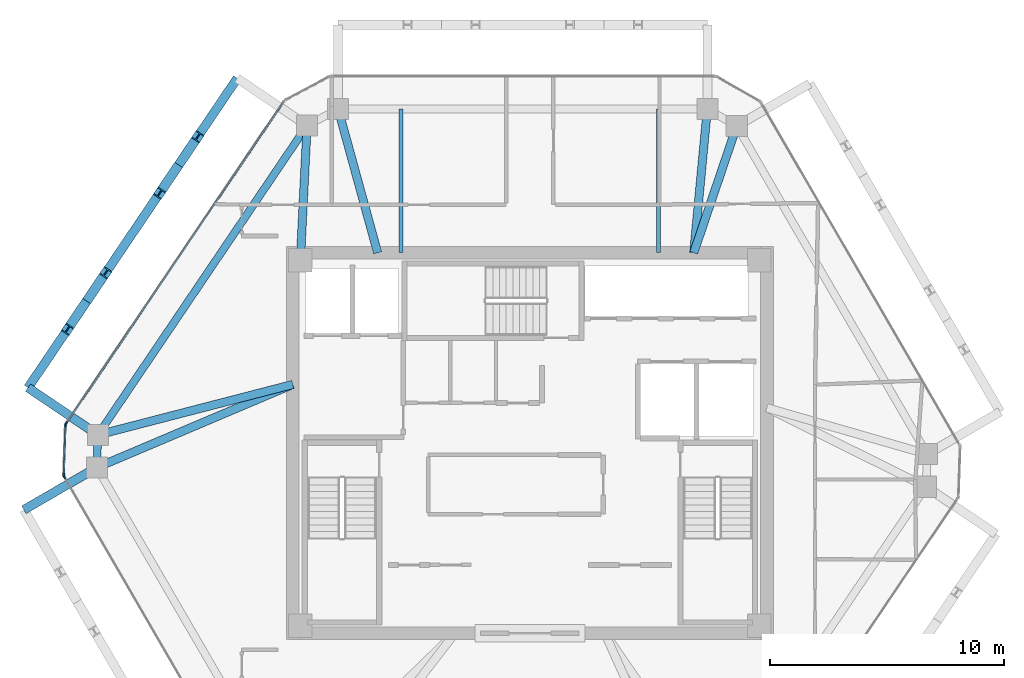
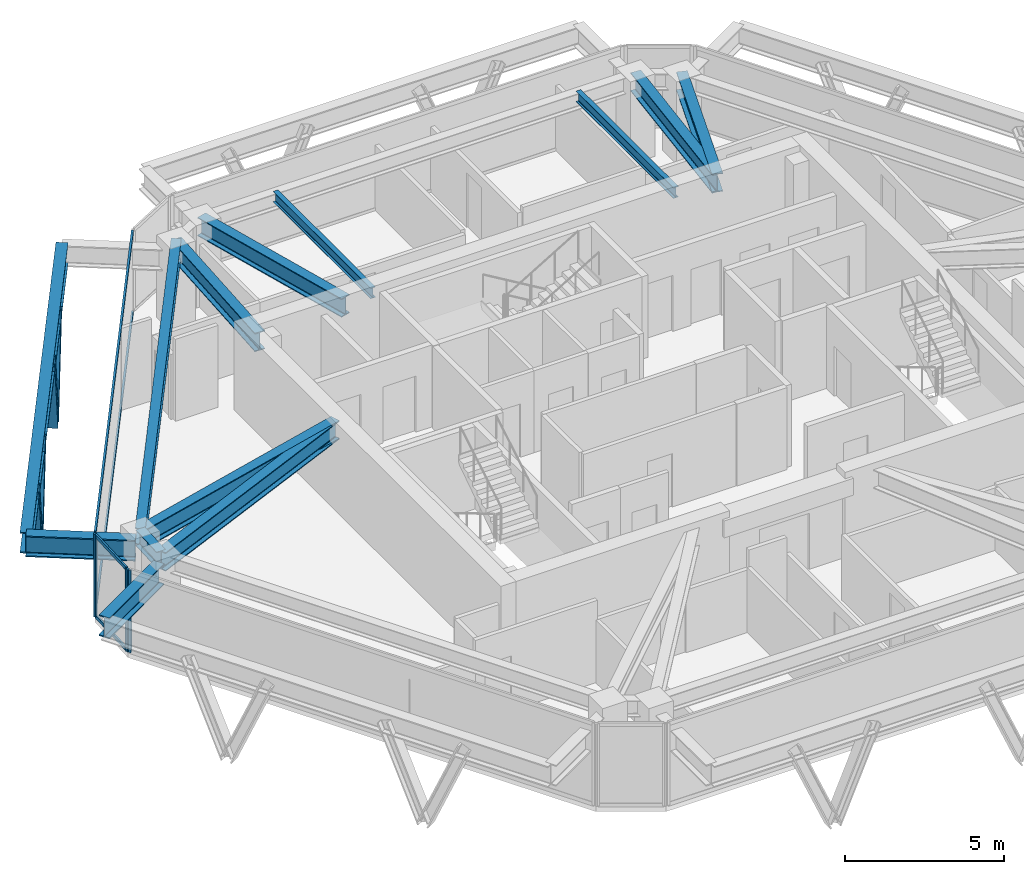
# One storey, part 4 of 11: 13 beams, 12 members, 3 elements without a shape of their own.
"""IFC4 building model written with IfcOpenShell, lengths in metres."""

from ifc_helpers import new_model, si_unit, direction, frame, origin, origin_2d, place, context, subcontext, project, spatial, rectangle, i_section, extrude, source, transform, mapped, material, layer, layer_set, material_profile, profile_set, type_object, type_shapes, element, aggregate, save


model = new_model("IFC4")

# Units and contexts
model_context = context("Model", 3, precision=1e-05, world=origin(), true_north=direction((0.0, 1.0)))
body_context = subcontext(model_context, "Body", "Model", "MODEL_VIEW")
ifc_project = project(units=[si_unit("LENGTHUNIT", "METRE"), si_unit("AREAUNIT", "SQUARE_METRE"), si_unit("VOLUMEUNIT", "CUBIC_METRE"), si_unit("PLANEANGLEUNIT", "RADIAN"), si_unit("MASSUNIT", "GRAM", prefix="KILO")], contexts=[model_context])

# Site, building, storey
site_placement = place(None, origin())
site = spatial("IfcSite", under=ifc_project, at=site_placement, CompositionType="ELEMENT")
building_placement = place(site_placement, origin())
building = spatial("IfcBuilding", under=site, at=building_placement, Name="Durnholm Broadcast Tower", CompositionType="ELEMENT")
storey_placement = place(building_placement, frame((0.0, 0.0, 258.10009765625)))
storey = spatial("IfcBuildingStorey", under=building, at=storey_placement, Name="L72", CompositionType="ELEMENT", Elevation=258.10009765625)

# Beams
ifc_material_1 = material(Name="Steel ASTM A992 Grade 50", Category="steel")
ifc_material_profile_1 = material_profile(ifc_material_1, i_section(OverallWidth=0.385009765625, OverallDepth=0.802978515625, WebThickness=0.023681640625, FlangeThickness=0.0419921875, FilletRadius=0.032958984375, at=origin_2d()), Name="W30X261")
ifc_profile_set_1 = profile_set([ifc_material_profile_1], Name="Steel ASTM A992 Grade 50")
beam_type_1 = type_object("IfcBeamType", Name="BM-EXO-TIE", PredefinedType="USERDEFINED", material=ifc_profile_set_1)
shared_shape_1 = source(origin(), body_context, "Body", "SweptSolid", [
    extrude(i_section(OverallWidth=0.385009765625, OverallDepth=0.802978515625, WebThickness=0.023681640625, FlangeThickness=0.0419921875, FilletRadius=0.032958984375, at=origin_2d()), origin(), (0.0, 0.0, 1.0), 3.4560546875),
])
for number, where, z_axis, x_axis, name in (
    (1, (-18.565673828125, 0.426513671875, 2.408447265625), (-0.828413564093, 0.56011692246, 0.0), (-0.56011692246, -0.828413564093, 0.0), "L72 exoskeleton stand-off tie bracket F5.2"),
    (2, (-18.618896484375, -1.1201171875, 2.408447265625), (-0.864876013532, -0.501985538852, 0.0), (0.501985538852, -0.864876013532, 0.0), "L72 exoskeleton stand-off tie bracket F6.1"),
):
    element("IfcBeam", number, at=place(storey_placement, frame(where, z_axis=z_axis, x_axis=x_axis)), inside=storey, type_object=beam_type_1, Name=name, ObjectType="GIRDER", PredefinedType="USERDEFINED", context=body_context, shape_type="MappedRepresentation", body=[
        mapped(shared_shape_1, transform((0.0, 0.0, 0.0), x_axis=(1.0, 0.0, 0.0), y_axis=(0.0, 1.0, 0.0), z_axis=(0.0, 0.0, 1.0), scale=1.0)),
    ])
ifc_material_profile_2 = material_profile(ifc_material_1, i_section(OverallWidth=0.3251953125, OverallDepth=0.6162109375, WebThickness=0.013916015625, FlangeThickness=0.021484375, FilletRadius=0.02783203125, at=origin_2d()), Name="W24X117")
ifc_profile_set_2 = profile_set([ifc_material_profile_2], Name="Steel ASTM A992 Grade 50")
beam_type_2 = type_object("IfcBeamType", Name="STL-SP-W24X117", PredefinedType="SPANDREL", material=ifc_profile_set_2)
shared_shape_2 = source(origin(), body_context, "Body", "SweptSolid", [
    extrude(i_section(OverallWidth=0.3251953125, OverallDepth=0.6162109375, WebThickness=0.013916015625, FlangeThickness=0.021484375, FilletRadius=0.02783203125, at=origin_2d()), origin(), (0.0, 0.0, 1.0), 1.39453125),
])
beam_1_placement = place(storey_placement, frame((-18.494384765625, -1.0478515625, 2.8369140625), z_axis=(0.034486393061, 0.999405167434, 0.0), x_axis=(-0.999405167434, 0.034486393061, 0.0)))
element("IfcBeam", 3, at=beam_1_placement, inside=storey, type_object=beam_type_2, Name="L72 perimeter spandrel girder 02", PredefinedType="SPANDREL", context=body_context, shape_type="MappedRepresentation", body=[
    mapped(shared_shape_2, transform((0.0, 0.0, 0.0), x_axis=(1.0, 0.0, 0.0), y_axis=(0.0, 1.0, 0.0), z_axis=(0.0, 0.0, 1.0), scale=1.0)),
])
shared_shape_3 = source(origin(), body_context, "Body", "SweptSolid", [
    extrude(i_section(OverallWidth=0.3251953125, OverallDepth=0.6162109375, WebThickness=0.013916015625, FlangeThickness=0.021484375, FilletRadius=0.02783203125, at=origin_2d()), origin(), (0.0, 0.0, 1.0), 15.947265625),
])
type_shapes(beam_type_2, [shared_shape_2, shared_shape_3])
beam_2_placement = place(storey_placement, frame((-18.4462890625, 0.345947265625, 2.8369140625), z_axis=(0.560062212489, 0.828450552623, 0.0), x_axis=(-0.828450552623, 0.560062212489, 0.0)))
element("IfcBeam", 4, at=beam_2_placement, inside=storey, type_object=beam_type_2, Name="L72 perimeter spandrel girder 03", PredefinedType="SPANDREL", context=body_context, shape_type="MappedRepresentation", body=[
    mapped(shared_shape_3, transform((0.0, 0.0, 0.0), x_axis=(1.0, 0.0, 0.0), y_axis=(0.0, 1.0, 0.0), z_axis=(0.0, 0.0, 1.0), scale=1.0)),
])
ifc_material_profile_3 = material_profile(ifc_material_1, i_section(OverallWidth=0.3564453125, OverallDepth=0.713623046875, WebThickness=0.01904296875, FlangeThickness=0.033935546875, FilletRadius=0.030517578125, at=origin_2d()), Name="W27X194")
ifc_profile_set_3 = profile_set([ifc_material_profile_3], Name="Steel ASTM A992 Grade 50")
beam_type_3 = type_object("IfcBeamType", Name="STL-GR-W27X194", PredefinedType="USERDEFINED", material=ifc_profile_set_3)
shared_shape_4 = source(origin(), body_context, "Body", "SweptSolid", [
    extrude(i_section(OverallWidth=0.3564453125, OverallDepth=0.713623046875, WebThickness=0.01904296875, FlangeThickness=0.033935546875, FilletRadius=0.030517578125, at=origin_2d()), origin(), (0.0, 0.0, 1.0), 5.764404296875),
])
beam_3_placement = place(storey_placement, frame((-9.800048828125, 7.800048828125, 2.7880859375), z_axis=(0.049468662109, 0.99877567625, 0.0), x_axis=(-0.99877567625, 0.049468662109, 0.0)))
element("IfcBeam", 5, at=beam_3_placement, inside=storey, type_object=beam_type_3, Name="L72 radial primary floor girder 04", ObjectType="GIRDER", PredefinedType="USERDEFINED", context=body_context, shape_type="MappedRepresentation", body=[
    mapped(shared_shape_4, transform((0.0, 0.0, 0.0), x_axis=(1.0, 0.0, 0.0), y_axis=(0.0, 1.0, 0.0), z_axis=(0.0, 0.0, 1.0), scale=1.0)),
])
shared_shape_5 = source(origin(), body_context, "Body", "SweptSolid", [
    extrude(i_section(OverallWidth=0.385009765625, OverallDepth=0.802978515625, WebThickness=0.023681640625, FlangeThickness=0.0419921875, FilletRadius=0.032958984375, at=origin_2d()), origin(), (0.0, 0.0, 1.0), 15.947021484375),
])
type_shapes(beam_type_1, [shared_shape_1, shared_shape_5])
beam_4_placement = place(storey_placement, frame((-12.497314453125, 15.573486328125, 2.408447265625), z_axis=(-0.560069315853, -0.828445750451, 0.0), x_axis=(0.828445750451, -0.560069315853, 0.0)))
element("IfcBeam", 6, at=beam_4_placement, inside=storey, type_object=beam_type_1, Name="L72 exoskeleton collector spandrel F5", PredefinedType="SPANDREL", context=body_context, shape_type="MappedRepresentation", body=[
    mapped(shared_shape_5, transform((0.0, 0.0, 0.0), x_axis=(1.0, 0.0, 0.0), y_axis=(0.0, 1.0, 0.0), z_axis=(0.0, 0.0, 1.0), scale=1.0)),
])
shared_shape_6 = source(origin(), body_context, "Body", "SweptSolid", [
    extrude(i_section(OverallWidth=0.3564453125, OverallDepth=0.713623046875, WebThickness=0.01904296875, FlangeThickness=0.033935546875, FilletRadius=0.030517578125, at=origin_2d()), origin(), (0.0, 0.0, 1.0), 9.09033203125),
])
beam_5_placement = place(storey_placement, frame((-10.125, 2.5, 2.7880859375), z_axis=(-0.920692350722, -0.390289117607, 0.0), x_axis=(0.390289117607, -0.920692350722, 0.0)))
element("IfcBeam", 7, at=beam_5_placement, inside=storey, type_object=beam_type_3, Name="L72 radial primary floor girder 02", ObjectType="GIRDER", PredefinedType="USERDEFINED", context=body_context, shape_type="MappedRepresentation", body=[
    mapped(shared_shape_6, transform((0.0, 0.0, 0.0), x_axis=(1.0, 0.0, 0.0), y_axis=(0.0, 1.0, 0.0), z_axis=(0.0, 0.0, 1.0), scale=1.0)),
])
shared_shape_7 = source(origin(), body_context, "Body", "SweptSolid", [
    extrude(i_section(OverallWidth=0.3564453125, OverallDepth=0.713623046875, WebThickness=0.01904296875, FlangeThickness=0.033935546875, FilletRadius=0.030517578125, at=origin_2d()), origin(), (0.0, 0.0, 1.0), 8.595458984375),
])
beam_6_placement = place(storey_placement, frame((-10.125, 2.5, 2.7880859375), z_axis=(-0.968090619149, -0.250600385306, 0.0), x_axis=(0.250600385306, -0.968090619149, 0.0)))
element("IfcBeam", 8, at=beam_6_placement, inside=storey, type_object=beam_type_3, Name="L72 radial primary floor girder 03", ObjectType="GIRDER", PredefinedType="USERDEFINED", context=body_context, shape_type="MappedRepresentation", body=[
    mapped(shared_shape_7, transform((0.0, 0.0, 0.0), x_axis=(1.0, 0.0, 0.0), y_axis=(0.0, 1.0, 0.0), z_axis=(0.0, 0.0, 1.0), scale=1.0)),
])
shared_shape_8 = source(origin(), body_context, "Body", "SweptSolid", [
    extrude(i_section(OverallWidth=0.3564453125, OverallDepth=0.713623046875, WebThickness=0.01904296875, FlangeThickness=0.033935546875, FilletRadius=0.030517578125, at=origin_2d()), origin(), (0.0, 0.0, 1.0), 6.36474609375),
])
beam_7_placement = place(storey_placement, frame((-6.5, 8.125, 2.7880859375), z_axis=(-0.265168072834, 0.96420220553, 0.0), x_axis=(-0.96420220553, -0.265168072834, 0.0)))
element("IfcBeam", 9, at=beam_7_placement, inside=storey, type_object=beam_type_3, Name="L72 radial primary floor girder 05", ObjectType="GIRDER", PredefinedType="USERDEFINED", context=body_context, shape_type="MappedRepresentation", body=[
    mapped(shared_shape_8, transform((0.0, 0.0, 0.0), x_axis=(1.0, 0.0, 0.0), y_axis=(0.0, 1.0, 0.0), z_axis=(0.0, 0.0, 1.0), scale=1.0)),
])
shared_shape_9 = source(origin(), body_context, "Body", "SweptSolid", [
    extrude(i_section(OverallWidth=0.3564453125, OverallDepth=0.713623046875, WebThickness=0.01904296875, FlangeThickness=0.033935546875, FilletRadius=0.030517578125, at=origin_2d()), origin(), (0.0, 0.0, 1.0), 6.164306640625),
])
beam_8_placement = place(storey_placement, frame((7.0, 8.125, 2.7880859375), z_axis=(0.094024068139, 0.995569924521, 0.0), x_axis=(-0.995569924521, 0.094024068139, 0.0)))
element("IfcBeam", 10, at=beam_8_placement, inside=storey, type_object=beam_type_3, Name="L72 radial primary floor girder 06", ObjectType="GIRDER", PredefinedType="USERDEFINED", context=body_context, shape_type="MappedRepresentation", body=[
    mapped(shared_shape_9, transform((0.0, 0.0, 0.0), x_axis=(1.0, 0.0, 0.0), y_axis=(0.0, 1.0, 0.0), z_axis=(0.0, 0.0, 1.0), scale=1.0)),
])
shared_shape_10 = source(origin(), body_context, "Body", "SweptSolid", [
    extrude(i_section(OverallWidth=0.3564453125, OverallDepth=0.713623046875, WebThickness=0.01904296875, FlangeThickness=0.033935546875, FilletRadius=0.030517578125, at=origin_2d()), origin(), (0.0, 0.0, 1.0), 5.716064453125),
])
type_shapes(beam_type_3, [shared_shape_4, shared_shape_6, shared_shape_7, shared_shape_8, shared_shape_9, shared_shape_10])
beam_9_placement = place(storey_placement, frame((7.0, 8.125, 2.7880859375), z_axis=(0.321450919754, 0.946926241156, 0.0), x_axis=(-0.946926241156, 0.321450919754, 0.0)))
element("IfcBeam", 11, at=beam_9_placement, inside=storey, type_object=beam_type_3, Name="L72 radial primary floor girder 07", ObjectType="GIRDER", PredefinedType="USERDEFINED", context=body_context, shape_type="MappedRepresentation", body=[
    mapped(shared_shape_10, transform((0.0, 0.0, 0.0), x_axis=(1.0, 0.0, 0.0), y_axis=(0.0, 1.0, 0.0), z_axis=(0.0, 0.0, 1.0), scale=1.0)),
])
ifc_material_profile_4 = material_profile(ifc_material_1, i_section(OverallWidth=0.177734375, OverallDepth=0.40673828125, WebThickness=0.0078125, FlangeThickness=0.0126953125, FilletRadius=0.01904296875, at=origin_2d()), Name="W16X40")
ifc_profile_set_4 = profile_set([ifc_material_profile_4], Name="Steel ASTM A992 Grade 50")
beam_type_4 = type_object("IfcBeamType", Name="STL-BJ-W16X40", PredefinedType="JOIST", material=ifc_profile_set_4)
shared_shape_11 = source(origin(), body_context, "Body", "SweptSolid", [
    extrude(i_section(OverallWidth=0.177734375, OverallDepth=0.40673828125, WebThickness=0.0078125, FlangeThickness=0.0126953125, FilletRadius=0.01904296875, at=origin_2d()), origin(), (0.0, 0.0, 1.0), 6.136962890625),
])
type_shapes(beam_type_4, [shared_shape_11])
for number, where, z_axis, x_axis, name in (
    (12, (-5.5, 8.125, 2.941650390625), (0.0, 1.0, 0.0), (-1.0, 0.0, 0.0), "L72 secondary floor joist 3.2"),
    (13, (5.5, 8.125, 2.941650390625), (0.0, 1.0, 0.0), (-1.0, 0.0, 0.0), "L72 secondary floor joist 4.2"),
):
    element("IfcBeam", number, at=place(storey_placement, frame(where, z_axis=z_axis, x_axis=x_axis)), inside=storey, type_object=beam_type_4, Name=name, PredefinedType="JOIST", context=body_context, shape_type="MappedRepresentation", body=[
        mapped(shared_shape_11, transform((0.0, 0.0, 0.0), x_axis=(1.0, 0.0, 0.0), y_axis=(0.0, 1.0, 0.0), z_axis=(0.0, 0.0, 1.0), scale=1.0)),
    ])

# Members
ifc_material_2 = material(Name="Steel ASTM A913 Grade 65", Category="steel")
ifc_material_profile_5 = material_profile(ifc_material_2, i_section(OverallWidth=0.40625, OverallDepth=0.416015625, WebThickness=0.02978515625, FlangeThickness=0.048095703125, FilletRadius=0.030517578125, at=origin_2d()), Name="W14X257")
ifc_profile_set_5 = profile_set([ifc_material_profile_5], Name="Steel ASTM A913 Grade 65")
member_type_1 = type_object("IfcMemberType", Name="STL-DG-W14X257", PredefinedType="BRACE", material=ifc_profile_set_5)
shared_shape_12 = source(origin(), body_context, "Body", "SweptSolid", [
    extrude(i_section(OverallWidth=0.40625, OverallDepth=0.416015625, WebThickness=0.02978515625, FlangeThickness=0.048095703125, FilletRadius=0.030517578125, at=origin_2d()), origin(), (0.0, 0.0, 1.0), 3.69970703125),
])
type_shapes(member_type_1, [shared_shape_12])
for number, where, z_axis, x_axis, name in (
    (14, (-14.998046875, 11.874267578125, -0.99169921875), (0.220734165395, 0.326580981925, 0.91903280163), (-0.828505003222, 0.559981660089, 0.0), "L72 stand-off diagrid brace F5.D1.1"),
    (15, (-14.998046875, 11.874267578125, -0.99169921875), (-0.220738922076, -0.326522028829, 0.919052606204), (0.828452496411, -0.560059337206, 0.0), "L72 stand-off diagrid brace F5.D1.2"),
    (16, (-18.927978515625, 6.061279296875, -0.99169921875), (0.220738922076, 0.326522028829, 0.919052606204), (-0.828452496411, 0.560059337206, 0.0), "L72 stand-off diagrid brace F5.D2.1"),
    (17, (-18.927978515625, 6.061279296875, -0.99169921875), (-0.220738922076, -0.326522028829, 0.919052606204), (0.828452496411, -0.560059337206, 0.0), "L72 stand-off diagrid brace F5.D2.2"),
):
    element("IfcMember", number, at=place(storey_placement, frame(where, z_axis=z_axis, x_axis=x_axis)), inside=storey, type_object=member_type_1, Name=name, PredefinedType="BRACE", context=body_context, shape_type="MappedRepresentation", body=[
        mapped(shared_shape_12, transform((0.0, 0.0, 0.0), x_axis=(1.0, 0.0, 0.0), y_axis=(0.0, 1.0, 0.0), z_axis=(0.0, 0.0, 1.0), scale=1.0)),
    ])

# Curtain wall, members
ifc_material_3 = material(Name="Aluminium and Solar Control IGU", Category="aluminium")
ifc_layer_1 = layer(ifc_material_3, 0.1650390625)
ifc_layer_set_1 = layer_set([ifc_layer_1], Name="Aluminium and Solar Control IGU")
curtain_wall_type_1 = type_object("IfcCurtainWallType", Name="CW-SYS-5", PredefinedType="NOTDEFINED", material=ifc_layer_set_1)
curtain_wall_1_placement = place(storey_placement, origin())
curtain_wall_1 = element("IfcCurtainWall", 18, at=curtain_wall_1_placement, inside=storey, type_object=curtain_wall_type_1, Name="L72 curtain wall CW-CORNER CW-L72-CRN-01", PredefinedType="NOTDEFINED")
ifc_material_4 = material(Name="Aluminium 6063-T6", Category="aluminium")
ifc_material_profile_6 = material_profile(ifc_material_4, rectangle(XDim=0.06494140625, YDim=0.1298828125, at=origin_2d()), Name="CWT65X130")
ifc_profile_set_6 = profile_set([ifc_material_profile_6], Name="Aluminium 6063-T6")
member_type_2 = type_object("IfcMemberType", Name="CW-SYS-5-TRN", PredefinedType="USERDEFINED", material=ifc_profile_set_6)
shared_shape_13 = source(origin(), body_context, "Body", "SweptSolid", [
    extrude(rectangle(XDim=0.06494140625, YDim=0.1298828125, at=origin_2d()), origin(), (0.0, 0.0, 1.0), 2.070068359375),
])
type_shapes(member_type_2, [shared_shape_13])
member_1_placement = place(storey_placement, frame((-19.905029296875, -1.33740234375, 0.032470703125), z_axis=(0.034320104965, 0.999410891673, 0.0), x_axis=(-0.999410891673, 0.034320104965, 0.0)))
member_1 = element("IfcMember", 19, at=member_1_placement, type_object=member_type_2, Name="CW-CORNER transom 1.1", ObjectType="TRANSOM", PredefinedType="USERDEFINED", context=body_context, shape_type="MappedRepresentation", body=[
    mapped(shared_shape_13, transform((0.0, 0.0, 0.0), x_axis=(1.0, 0.0, 0.0), y_axis=(0.0, 1.0, 0.0), z_axis=(0.0, 0.0, 1.0), scale=1.0)),
])
member_2_placement = place(storey_placement, frame((-19.905029296875, -1.33740234375, 3.12744140625), z_axis=(0.034320104965, 0.999410891673, 0.0), x_axis=(-0.999410891673, 0.034320104965, 0.0)))
member_2 = element("IfcMember", 20, at=member_2_placement, type_object=member_type_2, Name="CW-CORNER transom 1.2", ObjectType="TRANSOM", PredefinedType="USERDEFINED", context=body_context, shape_type="MappedRepresentation", body=[
    mapped(shared_shape_13, transform((0.0, 0.0, 0.0), x_axis=(1.0, 0.0, 0.0), y_axis=(0.0, 1.0, 0.0), z_axis=(0.0, 0.0, 1.0), scale=1.0)),
])

ifc_layer_2 = layer(ifc_material_3, 0.18994140625)
ifc_layer_set_2 = layer_set([ifc_layer_2], Name="Aluminium and Solar Control IGU")
curtain_wall_type_2 = type_object("IfcCurtainWallType", Name="CW-SYS-4", PredefinedType="NOTDEFINED", material=ifc_layer_set_2)
curtain_wall_2_placement = place(storey_placement, origin())
curtain_wall_2 = element("IfcCurtainWall", 21, at=curtain_wall_2_placement, inside=storey, type_object=curtain_wall_type_2, Name="L72 curtain wall CW-Z34-VIS CW-L72-F02", PredefinedType="NOTDEFINED")
ifc_material_profile_7 = material_profile(ifc_material_4, rectangle(XDim=0.070068359375, YDim=0.14990234375, at=origin_2d()), Name="CWT70X150")
ifc_profile_set_7 = profile_set([ifc_material_profile_7], Name="Aluminium 6063-T6")
member_type_3 = type_object("IfcMemberType", Name="CW-SYS-4-TRN", PredefinedType="USERDEFINED", material=ifc_profile_set_7)
shared_shape_14 = source(origin(), body_context, "Body", "SweptSolid", [
    extrude(rectangle(XDim=0.070068359375, YDim=0.14990234375, at=origin_2d()), origin(), (0.0, 0.0, 1.0), 16.55859375),
])
type_shapes(member_type_3, [shared_shape_14])
member_3_placement = place(storey_placement, frame((-19.79248046875, 0.8544921875, 0.034912109375), z_axis=(0.560071338091, 0.828444383317, 0.0), x_axis=(-0.828444383317, 0.560071338091, 0.0)))
member_3 = element("IfcMember", 22, at=member_3_placement, type_object=member_type_3, Name="CW-Z34-VIS transom 1.1", ObjectType="TRANSOM", PredefinedType="USERDEFINED", context=body_context, shape_type="MappedRepresentation", body=[
    mapped(shared_shape_14, transform((0.0, 0.0, 0.0), x_axis=(1.0, 0.0, 0.0), y_axis=(0.0, 1.0, 0.0), z_axis=(0.0, 0.0, 1.0), scale=1.0)),
])
member_4_placement = place(storey_placement, frame((-19.79248046875, 0.8544921875, 3.125), z_axis=(0.560071338091, 0.828444383317, 0.0), x_axis=(-0.828444383317, 0.560071338091, 0.0)))
member_4 = element("IfcMember", 23, at=member_4_placement, type_object=member_type_3, Name="CW-Z34-VIS transom 1.2", ObjectType="TRANSOM", PredefinedType="USERDEFINED", context=body_context, shape_type="MappedRepresentation", body=[
    mapped(shared_shape_14, transform((0.0, 0.0, 0.0), x_axis=(1.0, 0.0, 0.0), y_axis=(0.0, 1.0, 0.0), z_axis=(0.0, 0.0, 1.0), scale=1.0)),
])

# Member
ifc_material_profile_8 = material_profile(ifc_material_4, rectangle(XDim=0.06494140625, YDim=0.1650390625, at=origin_2d()), Name="CWM65X165")
ifc_profile_set_8 = profile_set([ifc_material_profile_8], Name="Aluminium 6063-T6")
member_type_4 = type_object("IfcMemberType", Name="CW-SYS-5-MUL", PredefinedType="MULLION", material=ifc_profile_set_8)
shared_shape_15 = source(origin(), body_context, "Body", "SweptSolid", [
    extrude(rectangle(XDim=0.06494140625, YDim=0.1650390625, at=origin_2d()), origin(), (0.0, 0.0, 1.0), 3.159912109375),
])
type_shapes(member_type_4, [shared_shape_15])
member_5_placement = place(storey_placement, frame((-19.90625, -1.369873046875, 0.0), z_axis=(0.0, 0.0, 1.0), x_axis=(-0.999410955514, 0.034318245849, 0.0)))
member_5 = element("IfcMember", 24, at=member_5_placement, type_object=member_type_4, Name="CW-CORNER mullion 1", PredefinedType="MULLION", context=body_context, shape_type="MappedRepresentation", body=[
    mapped(shared_shape_15, transform((0.0, 0.0, 0.0), x_axis=(1.0, 0.0, 0.0), y_axis=(0.0, 1.0, 0.0), z_axis=(0.0, 0.0, 1.0), scale=1.0)),
])

member_6_placement = place(storey_placement, frame((-19.8330078125, 0.763916015625, 0.0), z_axis=(0.0, 0.0, 1.0), x_axis=(-0.999410955514, 0.034318245849, 0.0)))
member_6 = element("IfcMember", 25, at=member_6_placement, type_object=member_type_4, Name="CW-CORNER mullion 2", PredefinedType="MULLION", context=body_context, shape_type="MappedRepresentation", body=[
    mapped(shared_shape_15, transform((0.0, 0.0, 0.0), x_axis=(1.0, 0.0, 0.0), y_axis=(0.0, 1.0, 0.0), z_axis=(0.0, 0.0, 1.0), scale=1.0)),
])

aggregate(curtain_wall_1, [member_5, member_6, member_1, member_2])

ifc_material_profile_9 = material_profile(ifc_material_4, rectangle(XDim=0.070068359375, YDim=0.18994140625, at=origin_2d()), Name="CWM70X190")
ifc_profile_set_9 = profile_set([ifc_material_profile_9], Name="Aluminium 6063-T6")
member_type_5 = type_object("IfcMemberType", Name="CW-SYS-4-MUL", PredefinedType="MULLION", material=ifc_profile_set_9)
shared_shape_16 = source(origin(), body_context, "Body", "SweptSolid", [
    extrude(rectangle(XDim=0.070068359375, YDim=0.18994140625, at=origin_2d()), origin(), (0.0, 0.0, 1.0), 3.159912109375),
])
type_shapes(member_type_5, [shared_shape_16])
member_7_placement = place(storey_placement, frame((-19.812255859375, 0.825439453125, 0.0), z_axis=(0.0, 0.0, 1.0), x_axis=(-0.828443431662, 0.560072745753, 0.0)))
member_7 = element("IfcMember", 26, at=member_7_placement, type_object=member_type_5, Name="CW-Z34-VIS mullion 1", PredefinedType="MULLION", context=body_context, shape_type="MappedRepresentation", body=[
    mapped(shared_shape_16, transform((0.0, 0.0, 0.0), x_axis=(1.0, 0.0, 0.0), y_axis=(0.0, 1.0, 0.0), z_axis=(0.0, 0.0, 1.0), scale=1.0)),
])

aggregate(curtain_wall_2, [member_7, member_3, member_4])

# Curtain wall, member
curtain_wall_3_placement = place(storey_placement, origin())
curtain_wall_3 = element("IfcCurtainWall", 27, at=curtain_wall_3_placement, inside=storey, type_object=curtain_wall_type_2, Name="L72 curtain wall CW-Z34-VIS CW-L72-F12", PredefinedType="NOTDEFINED")
member_8_placement = place(storey_placement, frame((-19.8896484375, -1.4326171875, 0.0), z_axis=(0.0, 0.0, 1.0), x_axis=(-0.864899883824, -0.50194441023, 0.0)))
member_8 = element("IfcMember", 28, at=member_8_placement, type_object=member_type_5, Name="CW-Z34-VIS mullion 2", PredefinedType="MULLION", context=body_context, shape_type="MappedRepresentation", body=[
    mapped(shared_shape_16, transform((0.0, 0.0, 0.0), x_axis=(1.0, 0.0, 0.0), y_axis=(0.0, 1.0, 0.0), z_axis=(0.0, 0.0, 1.0), scale=1.0)),
])
aggregate(curtain_wall_3, [member_8])

save(model, "model.ifc")
